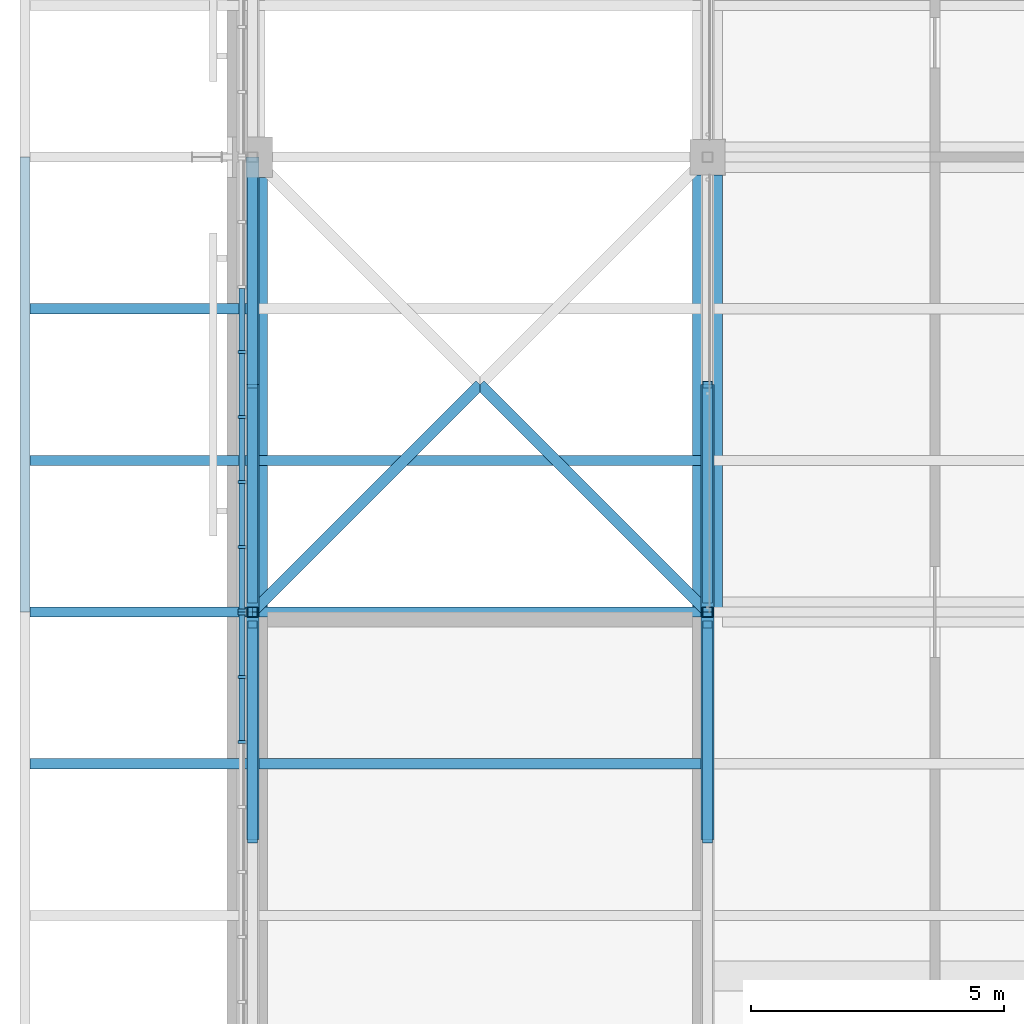
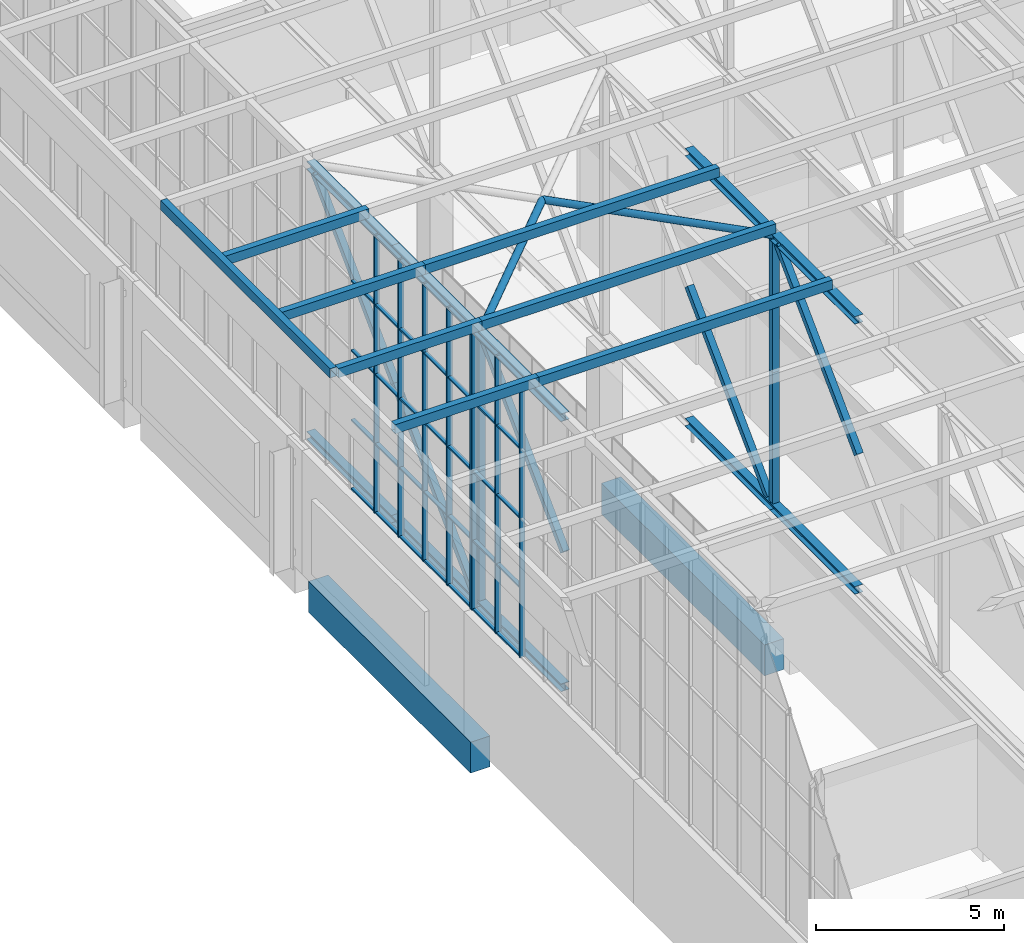
# One storey, part 59 of 646: 72 members, 2 beams, 2 elements without a shape of their own.
"""IFC4 building model written with IfcOpenShell, lengths in metres."""

from ifc_helpers import new_model, si_unit, direction, frame, origin, origin_2d, place, context, subcontext, project, spatial, rectangle, hollow_rectangle, hollow_circle, i_section, extrude, material, material_profile, profile_set, type_object, element, aggregate, save


model = new_model("IFC4")

# Units and contexts
model_context = context("Model", 3, precision=1e-05, world=origin(), true_north=direction((0.0, 1.0)))
body_context = subcontext(model_context, "Body", "Model", "MODEL_VIEW")
ifc_project = project(units=[si_unit("LENGTHUNIT", "METRE"), si_unit("AREAUNIT", "SQUARE_METRE"), si_unit("VOLUMEUNIT", "CUBIC_METRE"), si_unit("PLANEANGLEUNIT", "RADIAN"), si_unit("MASSUNIT", "GRAM", prefix="KILO")], contexts=[model_context])

# Site, building, storey
site_placement = place(None, origin())
site = spatial("IfcSite", under=ifc_project, at=site_placement, CompositionType="ELEMENT")
building_placement = place(site_placement, origin())
building = spatial("IfcBuilding", under=site, at=building_placement, Name="Silverbay Arena", CompositionType="ELEMENT")
storey_placement = place(building_placement, frame((0.0, 0.0, 33.5)))
storey = spatial("IfcBuildingStorey", under=building, at=storey_placement, Name="L05", CompositionType="ELEMENT", Elevation=33.5)

# Curtain wall, members
ifc_material_1 = material(Name="Aluminium framed glazing", Category="aluminium")
curtain_wall_type = type_object("IfcCurtainWallType", Name="Curtain wall clerestory 9000 x 9000", PredefinedType="NOTDEFINED", material=ifc_material_1)
curtain_wall_1_placement = place(storey_placement, origin())
curtain_wall_1 = element("IfcCurtainWall", 1, at=curtain_wall_1_placement, inside=storey, type_object=curtain_wall_type, Name="ROOF GABLE CLERESTORY CURTAIN WALL west bay 11", PredefinedType="NOTDEFINED")
ifc_material_2 = material(Name="Aluminium", Category="aluminium")
ifc_material_profile_1 = material_profile(ifc_material_2, rectangle(XDim=0.159912109375, YDim=0.06005859375, at=origin_2d()), Name="Mullion 60 x 160")
ifc_profile_set_1 = profile_set([ifc_material_profile_1], Name="Aluminium")
member_type_1 = type_object("IfcMemberType", Name="Mullion 60 x 160", PredefinedType="MULLION", material=ifc_profile_set_1)
member_1_placement = place(storey_placement, frame((53.7900390625, 105.428466796875, 4.0), z_axis=(0.0, 0.0, 1.0), x_axis=(-1.0, 0.0, 0.0)))
member_1 = element("IfcMember", 2, at=member_1_placement, type_object=member_type_1, Name="CW60 mullion 6", PredefinedType="MULLION", context=body_context, shape_type="SweptSolid", body=[
    extrude(rectangle(XDim=0.159912109375, YDim=0.06005859375, at=origin_2d()), origin(), (0.0, 0.0, 1.0), 9.0),
])
member_2_placement = place(storey_placement, frame((53.7900390625, 106.71435546875, 4.0), z_axis=(0.0, 0.0, 1.0), x_axis=(-1.0, 0.0, 0.0)))
member_2 = element("IfcMember", 3, at=member_2_placement, type_object=member_type_1, Name="CW60 mullion 7", PredefinedType="MULLION", context=body_context, shape_type="SweptSolid", body=[
    extrude(rectangle(XDim=0.159912109375, YDim=0.06005859375, at=origin_2d()), origin(), (0.0, 0.0, 1.0), 9.0),
])
member_3_placement = place(storey_placement, frame((53.7900390625, 107.969970703125, 4.0), z_axis=(0.0, 0.0, 1.0), x_axis=(-1.0, 0.0, 0.0)))
member_3 = element("IfcMember", 4, at=member_3_placement, type_object=member_type_1, Name="CW60 mullion 8", PredefinedType="MULLION", context=body_context, shape_type="SweptSolid", body=[
    extrude(rectangle(XDim=0.159912109375, YDim=0.06005859375, at=origin_2d()), origin(), (0.0, 0.0, 1.0), 9.0),
])

curtain_wall_2_placement = place(storey_placement, origin())
curtain_wall_2 = element("IfcCurtainWall", 5, at=curtain_wall_2_placement, inside=storey, type_object=curtain_wall_type, Name="ROOF GABLE CLERESTORY CURTAIN WALL west bay 12", PredefinedType="NOTDEFINED")
member_4_placement = place(storey_placement, frame((53.7900390625, 108.030029296875, 4.0), z_axis=(0.0, 0.0, 1.0), x_axis=(-1.0, 0.0, 0.0)))
member_4 = element("IfcMember", 6, at=member_4_placement, type_object=member_type_1, Name="CW60 mullion 1", PredefinedType="MULLION", context=body_context, shape_type="SweptSolid", body=[
    extrude(rectangle(XDim=0.159912109375, YDim=0.06005859375, at=origin_2d()), origin(), (0.0, 0.0, 1.0), 9.0),
])
member_5_placement = place(storey_placement, frame((53.7900390625, 109.28564453125, 4.0), z_axis=(0.0, 0.0, 1.0), x_axis=(-1.0, 0.0, 0.0)))
member_5 = element("IfcMember", 7, at=member_5_placement, type_object=member_type_1, Name="CW60 mullion 2", PredefinedType="MULLION", context=body_context, shape_type="SweptSolid", body=[
    extrude(rectangle(XDim=0.159912109375, YDim=0.06005859375, at=origin_2d()), origin(), (0.0, 0.0, 1.0), 9.0),
])
member_6_placement = place(storey_placement, frame((53.7900390625, 110.571533203125, 4.0), z_axis=(0.0, 0.0, 1.0), x_axis=(-1.0, 0.0, 0.0)))
member_6 = element("IfcMember", 8, at=member_6_placement, type_object=member_type_1, Name="CW60 mullion 3", PredefinedType="MULLION", context=body_context, shape_type="SweptSolid", body=[
    extrude(rectangle(XDim=0.159912109375, YDim=0.06005859375, at=origin_2d()), origin(), (0.0, 0.0, 1.0), 9.0),
])
member_7_placement = place(storey_placement, frame((53.7900390625, 111.857177734375, 4.0), z_axis=(0.0, 0.0, 1.0), x_axis=(-1.0, 0.0, 0.0)))
member_7 = element("IfcMember", 9, at=member_7_placement, type_object=member_type_1, Name="CW60 mullion 4", PredefinedType="MULLION", context=body_context, shape_type="SweptSolid", body=[
    extrude(rectangle(XDim=0.159912109375, YDim=0.06005859375, at=origin_2d()), origin(), (0.0, 0.0, 1.0), 9.0),
])
member_8_placement = place(storey_placement, frame((53.7900390625, 113.142822265625, 4.0), z_axis=(0.0, 0.0, 1.0), x_axis=(-1.0, 0.0, 0.0)))
member_8 = element("IfcMember", 10, at=member_8_placement, type_object=member_type_1, Name="CW60 mullion 5", PredefinedType="MULLION", context=body_context, shape_type="SweptSolid", body=[
    extrude(rectangle(XDim=0.159912109375, YDim=0.06005859375, at=origin_2d()), origin(), (0.0, 0.0, 1.0), 9.0),
])

# Members
ifc_material_3 = material(Name="Steel S355", Category="steel")
ifc_material_profile_2 = material_profile(ifc_material_3, hollow_circle(Radius=0.109619140625, WallThickness=0.00634765625, at=origin_2d()), Name="CHS 219.1x6.3")
ifc_profile_set_2 = profile_set([ifc_material_profile_2], Name="Steel S355")
member_type_2 = type_object("IfcMemberType", Name="Plan bracing CHS 219.1x6.3", PredefinedType="BRACE", material=ifc_profile_set_2)
for number, where, z_axis, x_axis, name in (
    (11, (54.0, 108.0, 12.873046875), (0.707106781187, 0.707106781187, 0.0), (-0.707106781187, 0.707106781187, 0.0), "ROOF BRACING top 7-8 panel 12 Aa"),
    (12, (58.5, 112.5, 12.873046875), (0.707106781187, -0.707106781187, 0.0), (0.707106781187, 0.707106781187, 0.0), "ROOF BRACING top 7-8 panel 12 Bb"),
):
    element("IfcMember", number, at=place(storey_placement, frame(where, z_axis=z_axis, x_axis=x_axis)), inside=storey, type_object=member_type_2, Name=name, PredefinedType="BRACE", context=body_context, shape_type="SweptSolid", body=[
        extrude(hollow_circle(Radius=0.109619140625, WallThickness=0.00634765625, at=origin_2d()), origin(), (0.0, 0.0, 1.0), 6.364013671875),
    ])
ifc_material_4 = material(Name="Steel S355", Category="steel")
ifc_material_profile_3 = material_profile(ifc_material_4, hollow_rectangle(XDim=0.199951171875, YDim=0.300048828125, WallThickness=0.008056640625, at=origin_2d()), Name="RHS 300x200x8")
ifc_profile_set_3 = profile_set([ifc_material_profile_3], Name="Steel S355")
member_type_3 = type_object("IfcMemberType", Name="Purlin RHS 300x200x8", PredefinedType="PURLIN", material=ifc_profile_set_3)
for number, where, z_axis, x_axis, name in (
    (13, (54.0, 105.0, 13.14990234375), (1.0, 0.0, 0.0), (0.0, 1.0, 0.0), "ROOF PURLIN 7-8 line 33"),
    (14, (54.0, 108.0, 13.14990234375), (1.0, 0.0, 0.0), (0.0, 1.0, 0.0), "ROOF PURLIN 7-8 line 34"),
    (15, (54.0, 111.0, 13.14990234375), (1.0, 0.0, 0.0), (0.0, 1.0, 0.0), "ROOF PURLIN 7-8 line 35"),
):
    element("IfcMember", number, at=place(storey_placement, frame(where, z_axis=z_axis, x_axis=x_axis)), inside=storey, type_object=member_type_3, Name=name, PredefinedType="PURLIN", context=body_context, shape_type="SweptSolid", body=[
        extrude(hollow_rectangle(XDim=0.199951171875, YDim=0.300048828125, WallThickness=0.008056640625, at=origin_2d()), origin(), (0.0, 0.0, 1.0), 9.0),
    ])
for number, where, z_axis, x_axis, name in (
    (16, (49.60009765625, 105.0, 13.14990234375), (1.0, 0.0, 0.0), (0.0, 1.0, 0.0), "ROOF PURLIN west eave line 33"),
    (17, (49.60009765625, 108.0, 13.14990234375), (1.0, 0.0, 0.0), (0.0, 1.0, 0.0), "ROOF PURLIN west eave line 34"),
    (18, (49.60009765625, 111.0, 13.14990234375), (1.0, 0.0, 0.0), (0.0, 1.0, 0.0), "ROOF PURLIN west eave line 35"),
    (19, (49.60009765625, 114.0, 13.14990234375), (1.0, 0.0, 0.0), (0.0, 1.0, 0.0), "ROOF PURLIN west eave line 36"),
):
    element("IfcMember", number, at=place(storey_placement, frame(where, z_axis=z_axis, x_axis=x_axis)), inside=storey, type_object=member_type_3, Name=name, PredefinedType="PURLIN", context=body_context, shape_type="SweptSolid", body=[
        extrude(hollow_rectangle(XDim=0.199951171875, YDim=0.300048828125, WallThickness=0.008056640625, at=origin_2d()), origin(), (0.0, 0.0, 1.0), 4.39990234375),
    ])
member_9_placement = place(storey_placement, frame((49.5, 108.0, 13.14990234375), z_axis=(0.0, 1.0, 0.0), x_axis=(-1.0, 0.0, 0.0)))
element("IfcMember", 20, at=member_9_placement, inside=storey, type_object=member_type_3, Name="ROOF PURLIN west eave edge 12", PredefinedType="PURLIN", context=body_context, shape_type="SweptSolid", body=[
    extrude(hollow_rectangle(XDim=0.199951171875, YDim=0.300048828125, WallThickness=0.008056640625, at=origin_2d()), origin(), (0.0, 0.0, 1.0), 9.0),
])

# Beams
ifc_material_5 = material(Name="Concrete Grade C45", Category="concrete")
ifc_material_profile_4 = material_profile(ifc_material_5, rectangle(XDim=0.60009765625, YDim=1.0, at=origin_2d()), Name="RC 600x1000")
ifc_profile_set_4 = profile_set([ifc_material_profile_4], Name="Concrete Grade C45")
beam_type = type_object("IfcBeamType", Name="RC beam 600x1000", PredefinedType="BEAM", material=ifc_profile_set_4)
beam_1_placement = place(storey_placement, frame((54.0, 108.0, -0.800048828125), z_axis=(0.0, 1.0, 0.0), x_axis=(-1.0, 0.0, 0.0)))
element("IfcBeam", 21, at=beam_1_placement, inside=storey, type_object=beam_type, Name="Floor beam L05 076", PredefinedType="BEAM", context=body_context, shape_type="SweptSolid", body=[
    extrude(rectangle(XDim=0.60009765625, YDim=1.0, at=origin_2d()), origin(), (0.0, 0.0, 1.0), 8.60009765625),
])
beam_2_placement = place(storey_placement, frame((63.0, 108.0, -0.800048828125), z_axis=(0.0, 1.0, 0.0), x_axis=(-1.0, 0.0, 0.0)))
element("IfcBeam", 22, at=beam_2_placement, inside=storey, type_object=beam_type, Name="Floor beam L05 084", PredefinedType="BEAM", context=body_context, shape_type="SweptSolid", body=[
    extrude(rectangle(XDim=0.60009765625, YDim=1.0, at=origin_2d()), origin(), (0.0, 0.0, 1.0), 8.64990234375),
])

# Members
ifc_material_6 = material(Name="Steel S355", Category="steel")
ifc_material_profile_5 = material_profile(ifc_material_6, i_section(OverallWidth=0.254638671875, OverallDepth=0.254150390625, WebThickness=0.008544921875, FlangeThickness=0.01416015625, at=origin_2d()), Name="UC 254x254x73")
ifc_profile_set_5 = profile_set([ifc_material_profile_5], Name="Steel S355")
member_type_4 = type_object("IfcMemberType", Name="Short-span bottom chord UC 254x254x73", PredefinedType="CHORD", material=ifc_profile_set_5)
for number, where, z_axis, x_axis, name in (
    (23, (54.0, 103.5, 4.126953125), (0.0, 1.0, 0.0), (-1.0, 0.0, 0.0), "ROOF TRUSS 7 bottom chord 11b"),
    (24, (54.0, 108.0, 4.126953125), (0.0, 1.0, 0.0), (-1.0, 0.0, 0.0), "ROOF TRUSS 7 bottom chord 12a"),
    (25, (54.0, 112.5, 4.126953125), (0.0, 1.0, 0.0), (-1.0, 0.0, 0.0), "ROOF TRUSS 7 bottom chord 12b"),
    (26, (63.0, 103.5, 4.126953125), (0.0, 1.0, 0.0), (-1.0, 0.0, 0.0), "ROOF TRUSS 8 bottom chord 11b"),
    (27, (63.0, 108.0, 4.126953125), (0.0, 1.0, 0.0), (-1.0, 0.0, 0.0), "ROOF TRUSS 8 bottom chord 12a"),
):
    element("IfcMember", number, at=place(storey_placement, frame(where, z_axis=z_axis, x_axis=x_axis)), inside=storey, type_object=member_type_4, Name=name, PredefinedType="CHORD", context=body_context, shape_type="SweptSolid", body=[
        extrude(i_section(OverallWidth=0.254638671875, OverallDepth=0.254150390625, WebThickness=0.008544921875, FlangeThickness=0.01416015625, at=origin_2d()), origin(), (0.0, 0.0, 1.0), 4.5),
    ])
ifc_material_7 = material(Name="Steel S355", Category="steel")
ifc_material_profile_6 = material_profile(ifc_material_7, i_section(OverallWidth=0.254638671875, OverallDepth=0.254150390625, WebThickness=0.008544921875, FlangeThickness=0.01416015625, at=origin_2d()), Name="UC 254x254x73")
ifc_profile_set_6 = profile_set([ifc_material_profile_6], Name="Steel S355")
member_type_5 = type_object("IfcMemberType", Name="Short-span top chord UC 254x254x73", PredefinedType="CHORD", material=ifc_profile_set_6)
for number, where, z_axis, x_axis, name in (
    (28, (54.0, 103.5, 12.873046875), (0.0, 1.0, 0.0), (-1.0, 0.0, 0.0), "ROOF TRUSS 7 top chord 11b"),
    (29, (54.0, 108.0, 12.873046875), (0.0, 1.0, 0.0), (-1.0, 0.0, 0.0), "ROOF TRUSS 7 top chord 12a"),
    (30, (54.0, 112.5, 12.873046875), (0.0, 1.0, 0.0), (-1.0, 0.0, 0.0), "ROOF TRUSS 7 top chord 12b"),
    (31, (63.0, 103.5, 12.873046875), (0.0, 1.0, 0.0), (-1.0, 0.0, 0.0), "ROOF TRUSS 8 top chord 11b"),
    (32, (63.0, 108.0, 12.873046875), (0.0, 1.0, 0.0), (-1.0, 0.0, 0.0), "ROOF TRUSS 8 top chord 12a"),
):
    element("IfcMember", number, at=place(storey_placement, frame(where, z_axis=z_axis, x_axis=x_axis)), inside=storey, type_object=member_type_5, Name=name, PredefinedType="CHORD", context=body_context, shape_type="SweptSolid", body=[
        extrude(i_section(OverallWidth=0.254638671875, OverallDepth=0.254150390625, WebThickness=0.008544921875, FlangeThickness=0.01416015625, at=origin_2d()), origin(), (0.0, 0.0, 1.0), 4.5),
    ])
ifc_material_8 = material(Name="Steel S355", Category="steel")
ifc_material_profile_7 = material_profile(ifc_material_8, hollow_rectangle(XDim=0.199951171875, YDim=0.199951171875, WallThickness=0.008056640625, at=origin_2d()), Name="SHS 200x200x8")
ifc_profile_set_7 = profile_set([ifc_material_profile_7], Name="Steel S355")
member_type_6 = type_object("IfcMemberType", Name="Short-span truss diagonal SHS 200x200x8", PredefinedType="BRACE", material=ifc_profile_set_7)
member_10_placement = place(storey_placement, frame((54.0, 107.75439453125, 12.745849609375), z_axis=(0.0, -0.707411529143, -0.706801901834), x_axis=(1.0, 0.0, 0.0)))
element("IfcMember", 33, at=member_10_placement, inside=storey, type_object=member_type_6, Name="ROOF TRUSS 7 diagonal 11a", PredefinedType="BRACE", context=body_context, shape_type="SweptSolid", body=[
    extrude(hollow_rectangle(XDim=0.199951171875, YDim=0.199951171875, WallThickness=0.008056640625, at=origin_2d()), origin(), (0.0, 0.0, 1.0), 6.007080078125),
])
for number, where, z_axis, x_axis, name in (
    (34, (54.0, 116.75439453125, 12.745849609375), (0.0, -0.70781724692, -0.706395600894), (1.0, 0.0, 0.0), "ROOF TRUSS 7 diagonal 12a"),
    (35, (54.0, 112.5, 8.5), (0.0, -0.70781724692, -0.706395600894), (1.0, 0.0, 0.0), "ROOF TRUSS 7 diagonal 12b"),
):
    element("IfcMember", number, at=place(storey_placement, frame(where, z_axis=z_axis, x_axis=x_axis)), inside=storey, type_object=member_type_6, Name=name, PredefinedType="BRACE", context=body_context, shape_type="SweptSolid", body=[
        extrude(hollow_rectangle(XDim=0.199951171875, YDim=0.199951171875, WallThickness=0.008056640625, at=origin_2d()), origin(), (0.0, 0.0, 1.0), 6.010498046875),
    ])
member_11_placement = place(storey_placement, frame((63.0, 107.75439453125, 12.745849609375), z_axis=(0.0, -0.707411529143, -0.706801901834), x_axis=(1.0, 0.0, 0.0)))
element("IfcMember", 36, at=member_11_placement, inside=storey, type_object=member_type_6, Name="ROOF TRUSS 8 diagonal 11a", PredefinedType="BRACE", context=body_context, shape_type="SweptSolid", body=[
    extrude(hollow_rectangle(XDim=0.199951171875, YDim=0.199951171875, WallThickness=0.008056640625, at=origin_2d()), origin(), (0.0, 0.0, 1.0), 6.007080078125),
])
member_12_placement = place(storey_placement, frame((63.0, 112.5, 8.5), z_axis=(0.0, -0.70781724692, -0.706395600894), x_axis=(1.0, 0.0, 0.0)))
element("IfcMember", 37, at=member_12_placement, inside=storey, type_object=member_type_6, Name="ROOF TRUSS 8 diagonal 12b", PredefinedType="BRACE", context=body_context, shape_type="SweptSolid", body=[
    extrude(hollow_rectangle(XDim=0.199951171875, YDim=0.199951171875, WallThickness=0.008056640625, at=origin_2d()), origin(), (0.0, 0.0, 1.0), 6.010498046875),
])
ifc_material_9 = material(Name="Steel S355", Category="steel")
ifc_material_profile_8 = material_profile(ifc_material_9, hollow_rectangle(XDim=0.199951171875, YDim=0.199951171875, WallThickness=0.008056640625, at=origin_2d()), Name="SHS 200x200x8")
ifc_profile_set_8 = profile_set([ifc_material_profile_8], Name="Steel S355")
member_type_7 = type_object("IfcMemberType", Name="Short-span truss vertical SHS 200x200x8", PredefinedType="STRUT", material=ifc_profile_set_8)
for number, where, z_axis, x_axis, name in (
    (38, (54.0, 108.0, 4.254150390625), (0.0, 0.0, 1.0), (1.0, 0.0, 0.0), "ROOF TRUSS 7 vertical 12a"),
    (39, (54.0, 108.0, 8.5), (0.0, 0.0, 1.0), (1.0, 0.0, 0.0), "ROOF TRUSS 7 vertical 12b"),
    (40, (63.0, 108.0, 4.254150390625), (0.0, 0.0, 1.0), (1.0, 0.0, 0.0), "ROOF TRUSS 8 vertical 12a"),
    (41, (63.0, 108.0, 8.5), (0.0, 0.0, 1.0), (1.0, 0.0, 0.0), "ROOF TRUSS 8 vertical 12b"),
):
    element("IfcMember", number, at=place(storey_placement, frame(where, z_axis=z_axis, x_axis=x_axis)), inside=storey, type_object=member_type_7, Name=name, PredefinedType="STRUT", context=body_context, shape_type="SweptSolid", body=[
        extrude(hollow_rectangle(XDim=0.199951171875, YDim=0.199951171875, WallThickness=0.008056640625, at=origin_2d()), origin(), (0.0, 0.0, 1.0), 4.245849609375),
    ])

# Member
ifc_material_10 = material(Name="Aluminium", Category="aluminium")
ifc_material_profile_9 = material_profile(ifc_material_10, rectangle(XDim=0.1201171875, YDim=0.050048828125, at=origin_2d()), Name="Transom 50 x 120")
ifc_profile_set_9 = profile_set([ifc_material_profile_9], Name="Aluminium")
member_type_8 = type_object("IfcMemberType", Name="Transom 50 x 120", PredefinedType="USERDEFINED", material=ifc_profile_set_9)
member_13_placement = place(storey_placement, frame((53.7900390625, 105.45849609375, 4.02490234375), z_axis=(0.0, 1.0, 0.0), x_axis=(-1.0, 0.0, 0.0)))
member_13 = element("IfcMember", 42, at=member_13_placement, type_object=member_type_8, Name="CW60 transom 6.1", ObjectType="TRANSOM", PredefinedType="USERDEFINED", context=body_context, shape_type="SweptSolid", body=[
    extrude(rectangle(XDim=0.1201171875, YDim=0.050048828125, at=origin_2d()), origin(), (0.0, 0.0, 1.0), 1.225830078125),
])

member_14_placement = place(storey_placement, frame((53.7900390625, 105.45849609375, 6.25), z_axis=(0.0, 1.0, 0.0), x_axis=(-1.0, 0.0, 0.0)))
member_14 = element("IfcMember", 43, at=member_14_placement, type_object=member_type_8, Name="CW60 transom 6.2", ObjectType="TRANSOM", PredefinedType="USERDEFINED", context=body_context, shape_type="SweptSolid", body=[
    extrude(rectangle(XDim=0.1201171875, YDim=0.050048828125, at=origin_2d()), origin(), (0.0, 0.0, 1.0), 1.225830078125),
])

member_15_placement = place(storey_placement, frame((53.7900390625, 105.45849609375, 8.5), z_axis=(0.0, 1.0, 0.0), x_axis=(-1.0, 0.0, 0.0)))
member_15 = element("IfcMember", 44, at=member_15_placement, type_object=member_type_8, Name="CW60 transom 6.3", ObjectType="TRANSOM", PredefinedType="USERDEFINED", context=body_context, shape_type="SweptSolid", body=[
    extrude(rectangle(XDim=0.1201171875, YDim=0.050048828125, at=origin_2d()), origin(), (0.0, 0.0, 1.0), 1.225830078125),
])

member_16_placement = place(storey_placement, frame((53.7900390625, 105.45849609375, 10.75), z_axis=(0.0, 1.0, 0.0), x_axis=(-1.0, 0.0, 0.0)))
member_16 = element("IfcMember", 45, at=member_16_placement, type_object=member_type_8, Name="CW60 transom 6.4", ObjectType="TRANSOM", PredefinedType="USERDEFINED", context=body_context, shape_type="SweptSolid", body=[
    extrude(rectangle(XDim=0.1201171875, YDim=0.050048828125, at=origin_2d()), origin(), (0.0, 0.0, 1.0), 1.225830078125),
])

member_17_placement = place(storey_placement, frame((53.7900390625, 105.45849609375, 12.97509765625), z_axis=(0.0, 1.0, 0.0), x_axis=(-1.0, 0.0, 0.0)))
member_17 = element("IfcMember", 46, at=member_17_placement, type_object=member_type_8, Name="CW60 transom 6.5", ObjectType="TRANSOM", PredefinedType="USERDEFINED", context=body_context, shape_type="SweptSolid", body=[
    extrude(rectangle(XDim=0.1201171875, YDim=0.050048828125, at=origin_2d()), origin(), (0.0, 0.0, 1.0), 1.225830078125),
])

member_18_placement = place(storey_placement, frame((53.7900390625, 106.744384765625, 4.02490234375), z_axis=(0.0, 1.0, 0.0), x_axis=(-1.0, 0.0, 0.0)))
member_18 = element("IfcMember", 47, at=member_18_placement, type_object=member_type_8, Name="CW60 transom 7.1", ObjectType="TRANSOM", PredefinedType="USERDEFINED", context=body_context, shape_type="SweptSolid", body=[
    extrude(rectangle(XDim=0.1201171875, YDim=0.050048828125, at=origin_2d()), origin(), (0.0, 0.0, 1.0), 1.195556640625),
])

member_19_placement = place(storey_placement, frame((53.7900390625, 106.744384765625, 6.25), z_axis=(0.0, 1.0, 0.0), x_axis=(-1.0, 0.0, 0.0)))
member_19 = element("IfcMember", 48, at=member_19_placement, type_object=member_type_8, Name="CW60 transom 7.2", ObjectType="TRANSOM", PredefinedType="USERDEFINED", context=body_context, shape_type="SweptSolid", body=[
    extrude(rectangle(XDim=0.1201171875, YDim=0.050048828125, at=origin_2d()), origin(), (0.0, 0.0, 1.0), 1.195556640625),
])

member_20_placement = place(storey_placement, frame((53.7900390625, 106.744384765625, 8.5), z_axis=(0.0, 1.0, 0.0), x_axis=(-1.0, 0.0, 0.0)))
member_20 = element("IfcMember", 49, at=member_20_placement, type_object=member_type_8, Name="CW60 transom 7.3", ObjectType="TRANSOM", PredefinedType="USERDEFINED", context=body_context, shape_type="SweptSolid", body=[
    extrude(rectangle(XDim=0.1201171875, YDim=0.050048828125, at=origin_2d()), origin(), (0.0, 0.0, 1.0), 1.195556640625),
])

member_21_placement = place(storey_placement, frame((53.7900390625, 106.744384765625, 10.75), z_axis=(0.0, 1.0, 0.0), x_axis=(-1.0, 0.0, 0.0)))
member_21 = element("IfcMember", 50, at=member_21_placement, type_object=member_type_8, Name="CW60 transom 7.4", ObjectType="TRANSOM", PredefinedType="USERDEFINED", context=body_context, shape_type="SweptSolid", body=[
    extrude(rectangle(XDim=0.1201171875, YDim=0.050048828125, at=origin_2d()), origin(), (0.0, 0.0, 1.0), 1.195556640625),
])

member_22_placement = place(storey_placement, frame((53.7900390625, 106.744384765625, 12.97509765625), z_axis=(0.0, 1.0, 0.0), x_axis=(-1.0, 0.0, 0.0)))
member_22 = element("IfcMember", 51, at=member_22_placement, type_object=member_type_8, Name="CW60 transom 7.5", ObjectType="TRANSOM", PredefinedType="USERDEFINED", context=body_context, shape_type="SweptSolid", body=[
    extrude(rectangle(XDim=0.1201171875, YDim=0.050048828125, at=origin_2d()), origin(), (0.0, 0.0, 1.0), 1.195556640625),
])

aggregate(curtain_wall_1, [member_1, member_2, member_3, member_13, member_14, member_15, member_16, member_17, member_18, member_19, member_20, member_21, member_22])

member_23_placement = place(storey_placement, frame((53.7900390625, 108.06005859375, 4.02490234375), z_axis=(0.0, 1.0, 0.0), x_axis=(-1.0, 0.0, 0.0)))
member_23 = element("IfcMember", 52, at=member_23_placement, type_object=member_type_8, Name="CW60 transom 1.1", ObjectType="TRANSOM", PredefinedType="USERDEFINED", context=body_context, shape_type="SweptSolid", body=[
    extrude(rectangle(XDim=0.1201171875, YDim=0.050048828125, at=origin_2d()), origin(), (0.0, 0.0, 1.0), 1.195556640625),
])

member_24_placement = place(storey_placement, frame((53.7900390625, 108.06005859375, 6.25), z_axis=(0.0, 1.0, 0.0), x_axis=(-1.0, 0.0, 0.0)))
member_24 = element("IfcMember", 53, at=member_24_placement, type_object=member_type_8, Name="CW60 transom 1.2", ObjectType="TRANSOM", PredefinedType="USERDEFINED", context=body_context, shape_type="SweptSolid", body=[
    extrude(rectangle(XDim=0.1201171875, YDim=0.050048828125, at=origin_2d()), origin(), (0.0, 0.0, 1.0), 1.195556640625),
])

member_25_placement = place(storey_placement, frame((53.7900390625, 108.06005859375, 8.5), z_axis=(0.0, 1.0, 0.0), x_axis=(-1.0, 0.0, 0.0)))
member_25 = element("IfcMember", 54, at=member_25_placement, type_object=member_type_8, Name="CW60 transom 1.3", ObjectType="TRANSOM", PredefinedType="USERDEFINED", context=body_context, shape_type="SweptSolid", body=[
    extrude(rectangle(XDim=0.1201171875, YDim=0.050048828125, at=origin_2d()), origin(), (0.0, 0.0, 1.0), 1.195556640625),
])

member_26_placement = place(storey_placement, frame((53.7900390625, 108.06005859375, 10.75), z_axis=(0.0, 1.0, 0.0), x_axis=(-1.0, 0.0, 0.0)))
member_26 = element("IfcMember", 55, at=member_26_placement, type_object=member_type_8, Name="CW60 transom 1.4", ObjectType="TRANSOM", PredefinedType="USERDEFINED", context=body_context, shape_type="SweptSolid", body=[
    extrude(rectangle(XDim=0.1201171875, YDim=0.050048828125, at=origin_2d()), origin(), (0.0, 0.0, 1.0), 1.195556640625),
])

member_27_placement = place(storey_placement, frame((53.7900390625, 108.06005859375, 12.97509765625), z_axis=(0.0, 1.0, 0.0), x_axis=(-1.0, 0.0, 0.0)))
member_27 = element("IfcMember", 56, at=member_27_placement, type_object=member_type_8, Name="CW60 transom 1.5", ObjectType="TRANSOM", PredefinedType="USERDEFINED", context=body_context, shape_type="SweptSolid", body=[
    extrude(rectangle(XDim=0.1201171875, YDim=0.050048828125, at=origin_2d()), origin(), (0.0, 0.0, 1.0), 1.195556640625),
])

member_28_placement = place(storey_placement, frame((53.7900390625, 109.315673828125, 4.02490234375), z_axis=(0.0, 1.0, 0.0), x_axis=(-1.0, 0.0, 0.0)))
member_28 = element("IfcMember", 57, at=member_28_placement, type_object=member_type_8, Name="CW60 transom 2.1", ObjectType="TRANSOM", PredefinedType="USERDEFINED", context=body_context, shape_type="SweptSolid", body=[
    extrude(rectangle(XDim=0.1201171875, YDim=0.050048828125, at=origin_2d()), origin(), (0.0, 0.0, 1.0), 1.225830078125),
])

member_29_placement = place(storey_placement, frame((53.7900390625, 109.315673828125, 6.25), z_axis=(0.0, 1.0, 0.0), x_axis=(-1.0, 0.0, 0.0)))
member_29 = element("IfcMember", 58, at=member_29_placement, type_object=member_type_8, Name="CW60 transom 2.2", ObjectType="TRANSOM", PredefinedType="USERDEFINED", context=body_context, shape_type="SweptSolid", body=[
    extrude(rectangle(XDim=0.1201171875, YDim=0.050048828125, at=origin_2d()), origin(), (0.0, 0.0, 1.0), 1.225830078125),
])

member_30_placement = place(storey_placement, frame((53.7900390625, 109.315673828125, 8.5), z_axis=(0.0, 1.0, 0.0), x_axis=(-1.0, 0.0, 0.0)))
member_30 = element("IfcMember", 59, at=member_30_placement, type_object=member_type_8, Name="CW60 transom 2.3", ObjectType="TRANSOM", PredefinedType="USERDEFINED", context=body_context, shape_type="SweptSolid", body=[
    extrude(rectangle(XDim=0.1201171875, YDim=0.050048828125, at=origin_2d()), origin(), (0.0, 0.0, 1.0), 1.225830078125),
])

member_31_placement = place(storey_placement, frame((53.7900390625, 109.315673828125, 10.75), z_axis=(0.0, 1.0, 0.0), x_axis=(-1.0, 0.0, 0.0)))
member_31 = element("IfcMember", 60, at=member_31_placement, type_object=member_type_8, Name="CW60 transom 2.4", ObjectType="TRANSOM", PredefinedType="USERDEFINED", context=body_context, shape_type="SweptSolid", body=[
    extrude(rectangle(XDim=0.1201171875, YDim=0.050048828125, at=origin_2d()), origin(), (0.0, 0.0, 1.0), 1.225830078125),
])

member_32_placement = place(storey_placement, frame((53.7900390625, 109.315673828125, 12.97509765625), z_axis=(0.0, 1.0, 0.0), x_axis=(-1.0, 0.0, 0.0)))
member_32 = element("IfcMember", 61, at=member_32_placement, type_object=member_type_8, Name="CW60 transom 2.5", ObjectType="TRANSOM", PredefinedType="USERDEFINED", context=body_context, shape_type="SweptSolid", body=[
    extrude(rectangle(XDim=0.1201171875, YDim=0.050048828125, at=origin_2d()), origin(), (0.0, 0.0, 1.0), 1.225830078125),
])

member_33_placement = place(storey_placement, frame((53.7900390625, 110.601318359375, 4.02490234375), z_axis=(0.0, 1.0, 0.0), x_axis=(-1.0, 0.0, 0.0)))
member_33 = element("IfcMember", 62, at=member_33_placement, type_object=member_type_8, Name="CW60 transom 3.1", ObjectType="TRANSOM", PredefinedType="USERDEFINED", context=body_context, shape_type="SweptSolid", body=[
    extrude(rectangle(XDim=0.1201171875, YDim=0.050048828125, at=origin_2d()), origin(), (0.0, 0.0, 1.0), 1.225830078125),
])

member_34_placement = place(storey_placement, frame((53.7900390625, 110.601318359375, 6.25), z_axis=(0.0, 1.0, 0.0), x_axis=(-1.0, 0.0, 0.0)))
member_34 = element("IfcMember", 63, at=member_34_placement, type_object=member_type_8, Name="CW60 transom 3.2", ObjectType="TRANSOM", PredefinedType="USERDEFINED", context=body_context, shape_type="SweptSolid", body=[
    extrude(rectangle(XDim=0.1201171875, YDim=0.050048828125, at=origin_2d()), origin(), (0.0, 0.0, 1.0), 1.225830078125),
])

member_35_placement = place(storey_placement, frame((53.7900390625, 110.601318359375, 8.5), z_axis=(0.0, 1.0, 0.0), x_axis=(-1.0, 0.0, 0.0)))
member_35 = element("IfcMember", 64, at=member_35_placement, type_object=member_type_8, Name="CW60 transom 3.3", ObjectType="TRANSOM", PredefinedType="USERDEFINED", context=body_context, shape_type="SweptSolid", body=[
    extrude(rectangle(XDim=0.1201171875, YDim=0.050048828125, at=origin_2d()), origin(), (0.0, 0.0, 1.0), 1.225830078125),
])

member_36_placement = place(storey_placement, frame((53.7900390625, 110.601318359375, 10.75), z_axis=(0.0, 1.0, 0.0), x_axis=(-1.0, 0.0, 0.0)))
member_36 = element("IfcMember", 65, at=member_36_placement, type_object=member_type_8, Name="CW60 transom 3.4", ObjectType="TRANSOM", PredefinedType="USERDEFINED", context=body_context, shape_type="SweptSolid", body=[
    extrude(rectangle(XDim=0.1201171875, YDim=0.050048828125, at=origin_2d()), origin(), (0.0, 0.0, 1.0), 1.225830078125),
])

member_37_placement = place(storey_placement, frame((53.7900390625, 110.601318359375, 12.97509765625), z_axis=(0.0, 1.0, 0.0), x_axis=(-1.0, 0.0, 0.0)))
member_37 = element("IfcMember", 66, at=member_37_placement, type_object=member_type_8, Name="CW60 transom 3.5", ObjectType="TRANSOM", PredefinedType="USERDEFINED", context=body_context, shape_type="SweptSolid", body=[
    extrude(rectangle(XDim=0.1201171875, YDim=0.050048828125, at=origin_2d()), origin(), (0.0, 0.0, 1.0), 1.225830078125),
])

member_38_placement = place(storey_placement, frame((53.7900390625, 111.88720703125, 4.02490234375), z_axis=(0.0, 1.0, 0.0), x_axis=(-1.0, 0.0, 0.0)))
member_38 = element("IfcMember", 67, at=member_38_placement, type_object=member_type_8, Name="CW60 transom 4.1", ObjectType="TRANSOM", PredefinedType="USERDEFINED", context=body_context, shape_type="SweptSolid", body=[
    extrude(rectangle(XDim=0.1201171875, YDim=0.050048828125, at=origin_2d()), origin(), (0.0, 0.0, 1.0), 1.2255859375),
])

member_39_placement = place(storey_placement, frame((53.7900390625, 111.88720703125, 6.25), z_axis=(0.0, 1.0, 0.0), x_axis=(-1.0, 0.0, 0.0)))
member_39 = element("IfcMember", 68, at=member_39_placement, type_object=member_type_8, Name="CW60 transom 4.2", ObjectType="TRANSOM", PredefinedType="USERDEFINED", context=body_context, shape_type="SweptSolid", body=[
    extrude(rectangle(XDim=0.1201171875, YDim=0.050048828125, at=origin_2d()), origin(), (0.0, 0.0, 1.0), 1.2255859375),
])

member_40_placement = place(storey_placement, frame((53.7900390625, 111.88720703125, 8.5), z_axis=(0.0, 1.0, 0.0), x_axis=(-1.0, 0.0, 0.0)))
member_40 = element("IfcMember", 69, at=member_40_placement, type_object=member_type_8, Name="CW60 transom 4.3", ObjectType="TRANSOM", PredefinedType="USERDEFINED", context=body_context, shape_type="SweptSolid", body=[
    extrude(rectangle(XDim=0.1201171875, YDim=0.050048828125, at=origin_2d()), origin(), (0.0, 0.0, 1.0), 1.2255859375),
])

member_41_placement = place(storey_placement, frame((53.7900390625, 111.88720703125, 10.75), z_axis=(0.0, 1.0, 0.0), x_axis=(-1.0, 0.0, 0.0)))
member_41 = element("IfcMember", 70, at=member_41_placement, type_object=member_type_8, Name="CW60 transom 4.4", ObjectType="TRANSOM", PredefinedType="USERDEFINED", context=body_context, shape_type="SweptSolid", body=[
    extrude(rectangle(XDim=0.1201171875, YDim=0.050048828125, at=origin_2d()), origin(), (0.0, 0.0, 1.0), 1.2255859375),
])

member_42_placement = place(storey_placement, frame((53.7900390625, 111.88720703125, 12.97509765625), z_axis=(0.0, 1.0, 0.0), x_axis=(-1.0, 0.0, 0.0)))
member_42 = element("IfcMember", 71, at=member_42_placement, type_object=member_type_8, Name="CW60 transom 4.5", ObjectType="TRANSOM", PredefinedType="USERDEFINED", context=body_context, shape_type="SweptSolid", body=[
    extrude(rectangle(XDim=0.1201171875, YDim=0.050048828125, at=origin_2d()), origin(), (0.0, 0.0, 1.0), 1.2255859375),
])

member_43_placement = place(storey_placement, frame((53.7900390625, 113.1728515625, 4.02490234375), z_axis=(0.0, 1.0, 0.0), x_axis=(-1.0, 0.0, 0.0)))
member_43 = element("IfcMember", 72, at=member_43_placement, type_object=member_type_8, Name="CW60 transom 5.1", ObjectType="TRANSOM", PredefinedType="USERDEFINED", context=body_context, shape_type="SweptSolid", body=[
    extrude(rectangle(XDim=0.1201171875, YDim=0.050048828125, at=origin_2d()), origin(), (0.0, 0.0, 1.0), 1.225830078125),
])

member_44_placement = place(storey_placement, frame((53.7900390625, 113.1728515625, 6.25), z_axis=(0.0, 1.0, 0.0), x_axis=(-1.0, 0.0, 0.0)))
member_44 = element("IfcMember", 73, at=member_44_placement, type_object=member_type_8, Name="CW60 transom 5.2", ObjectType="TRANSOM", PredefinedType="USERDEFINED", context=body_context, shape_type="SweptSolid", body=[
    extrude(rectangle(XDim=0.1201171875, YDim=0.050048828125, at=origin_2d()), origin(), (0.0, 0.0, 1.0), 1.225830078125),
])

member_45_placement = place(storey_placement, frame((53.7900390625, 113.1728515625, 8.5), z_axis=(0.0, 1.0, 0.0), x_axis=(-1.0, 0.0, 0.0)))
member_45 = element("IfcMember", 74, at=member_45_placement, type_object=member_type_8, Name="CW60 transom 5.3", ObjectType="TRANSOM", PredefinedType="USERDEFINED", context=body_context, shape_type="SweptSolid", body=[
    extrude(rectangle(XDim=0.1201171875, YDim=0.050048828125, at=origin_2d()), origin(), (0.0, 0.0, 1.0), 1.225830078125),
])

member_46_placement = place(storey_placement, frame((53.7900390625, 113.1728515625, 10.75), z_axis=(0.0, 1.0, 0.0), x_axis=(-1.0, 0.0, 0.0)))
member_46 = element("IfcMember", 75, at=member_46_placement, type_object=member_type_8, Name="CW60 transom 5.4", ObjectType="TRANSOM", PredefinedType="USERDEFINED", context=body_context, shape_type="SweptSolid", body=[
    extrude(rectangle(XDim=0.1201171875, YDim=0.050048828125, at=origin_2d()), origin(), (0.0, 0.0, 1.0), 1.225830078125),
])

member_47_placement = place(storey_placement, frame((53.7900390625, 113.1728515625, 12.97509765625), z_axis=(0.0, 1.0, 0.0), x_axis=(-1.0, 0.0, 0.0)))
member_47 = element("IfcMember", 76, at=member_47_placement, type_object=member_type_8, Name="CW60 transom 5.5", ObjectType="TRANSOM", PredefinedType="USERDEFINED", context=body_context, shape_type="SweptSolid", body=[
    extrude(rectangle(XDim=0.1201171875, YDim=0.050048828125, at=origin_2d()), origin(), (0.0, 0.0, 1.0), 1.225830078125),
])

aggregate(curtain_wall_2, [member_4, member_5, member_6, member_7, member_8, member_23, member_24, member_25, member_26, member_27, member_28, member_29, member_30, member_31, member_32, member_33, member_34, member_35, member_36, member_37, member_38, member_39, member_40, member_41, member_42, member_43, member_44, member_45, member_46, member_47])

save(model, "model.ifc")
